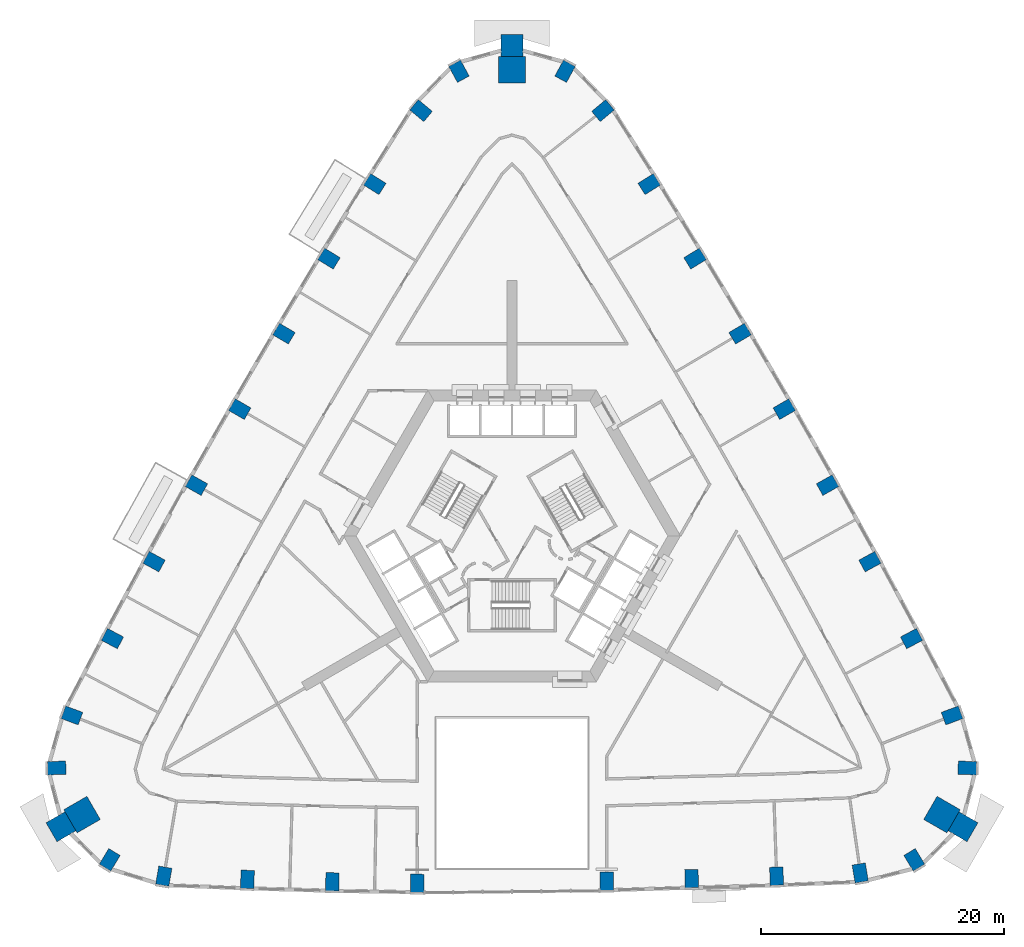
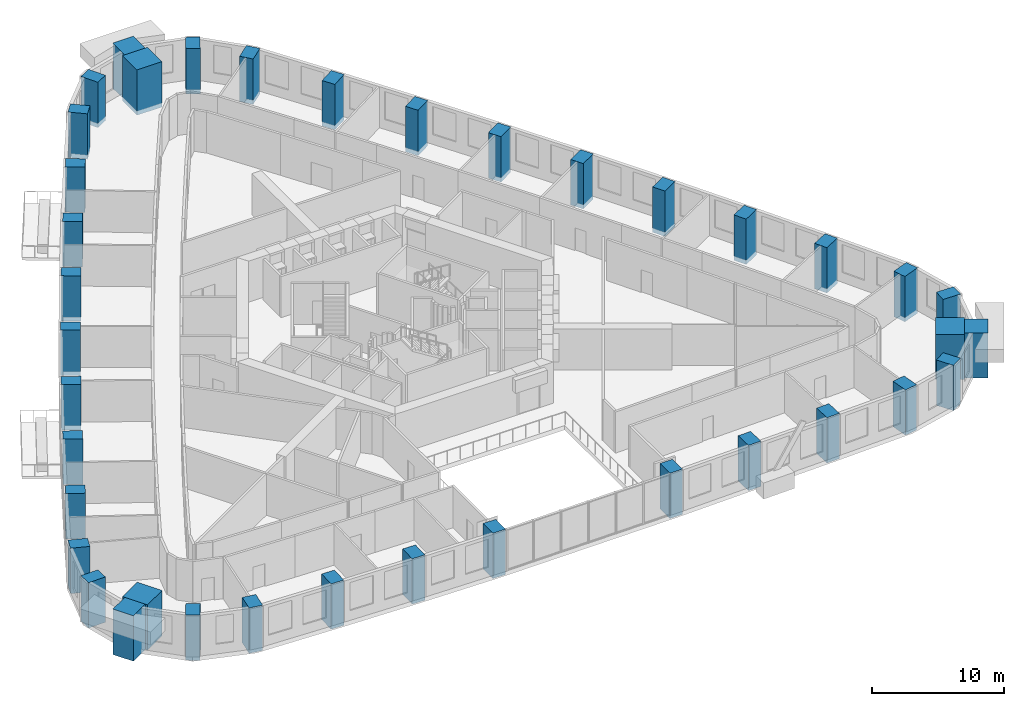
# One storey, part 1 of 15: 38 columns.
"""IFC4 building model written with IfcOpenShell, lengths in metres."""

from ifc_helpers import new_model, si_unit, direction, frame, origin, origin_2d, place, context, subcontext, project, spatial, rectangle, extrude, material, material_profile, profile_set, type_object, element, save


model = new_model("IFC4")

# Units and contexts
model_context = context("Model", 3, precision=1e-05, world=origin(), true_north=direction((0.0, 1.0)))
body_context = subcontext(model_context, "Body", "Model", "MODEL_VIEW")
ifc_project = project(units=[si_unit("LENGTHUNIT", "METRE"), si_unit("AREAUNIT", "SQUARE_METRE"), si_unit("VOLUMEUNIT", "CUBIC_METRE"), si_unit("PLANEANGLEUNIT", "RADIAN"), si_unit("MASSUNIT", "GRAM", prefix="KILO")], contexts=[model_context])

# Site, building, storey
site_placement = place(None, origin())
site = spatial("IfcSite", under=ifc_project, at=site_placement, CompositionType="ELEMENT")
building_placement = place(site_placement, origin())
building = spatial("IfcBuilding", under=site, at=building_placement, Name="Entoto Arch Interchange Tower", CompositionType="ELEMENT")
storey_placement = place(building_placement, frame((0.0, 0.0, 107.60009765625)))
storey = spatial("IfcBuildingStorey", under=building, at=storey_placement, Name="L23", CompositionType="ELEMENT", Elevation=107.60009765625)

# Columns
ifc_material_1 = material(Name="Concrete C60/75", Category="concrete")
ifc_material_profile_1 = material_profile(ifc_material_1, rectangle(XDim=1.10009765625, YDim=1.5, at=origin_2d()))
ifc_profile_set_1 = profile_set([ifc_material_profile_1], Name="Concrete C60/75")
column_type_1 = type_object("IfcColumnType", Name="Column RC 1100x1500 C60/75", PredefinedType="COLUMN", material=ifc_profile_set_1)
for number, where, z_axis, x_axis, name in (
    (1, (-28.633056640625, -25.47802734375, -0.400146484375), (0.0, 0.0, 1.0), (-0.985759288085, 0.168162498658, 0.0), "Column S01 L23"),
    (2, (-21.757080078125, -25.742919921875, -0.400146484375), (0.0, 0.0, 1.0), (-0.999373652571, 0.035387887008, 0.0), "Column S02 L23"),
    (3, (-14.77294921875, -25.943115234375, -0.400146484375), (0.0, 0.0, 1.0), (-0.999711216939, 0.024030870297, 0.0), "Column S03 L23"),
    (4, (-7.7919921875, -26.06591796875, -0.400146484375), (0.0, 0.0, 1.0), (-0.999958020206, 0.009162850353, 0.0), "Column S04 L23"),
    (5, (7.7919921875, -25.89404296875, -0.400146484375), (0.0, 0.0, 1.0), (0.999958020206, 0.009162850353, 0.0), "Column S05 L23"),
    (6, (14.77294921875, -25.678955078125, -0.400146484375), (0.0, 0.0, 1.0), (0.999711216939, 0.024030870297, 0.0), "Column S06 L23"),
    (7, (21.757080078125, -25.47900390625, -0.400146484375), (0.0, 0.0, 1.0), (0.999373652571, 0.035387887008, 0.0), "Column S07 L23"),
    (8, (28.633056640625, -25.214111328125, -0.400146484375), (0.0, 0.0, 1.0), (0.985759288085, 0.168162498658, 0.0), "Column S08 L23"),
    (9, (33.077880859375, -24.132080078125, -0.400146484375), (0.0, 0.0, 1.0), (0.854095929175, 0.520115510024, 0.0), "Column SE1 L23"),
    (10, (37.43798828125, -16.5810546875, -0.400146484375), (0.0, 0.0, 1.0), (0.023385279996, 0.999726526946, 0.0), "Column SE3 L23"),
    (11, (36.18798828125, -12.260986328125, -0.400146484375), (0.0, 0.0, 1.0), (-0.347312116358, 0.937749590152, 0.0), "Column NE01 L23"),
    (12, (32.85791015625, -5.943115234375, -0.400146484375), (0.0, 0.0, 1.0), (-0.469332863911, 0.883021326386, 0.0), "Column NE02 L23"),
    (13, (29.43798828125, 0.385009765625, -0.400146484375), (0.0, 0.0, 1.0), (-0.479611016922, 0.87748120917, 0.0), "Column NE03 L23"),
    (14, (25.947998046875, 6.675048828125, -0.400146484375), (0.0, 0.0, 1.0), (-0.489838999048, 0.87181291285, 0.0), "Column NE04 L23"),
    (15, (22.386962890625, 12.925048828125, -0.400146484375), (0.0, 0.0, 1.0), (-0.5, 0.866025403784, 0.0), "Column NE05 L23"),
    (16, (18.7548828125, 19.134033203125, -0.400146484375), (0.0, 0.0, 1.0), (-0.510092630351, 0.860119473365, 0.0), "Column NE06 L23"),
    (17, (15.052978515625, 25.302001953125, -0.400146484375), (0.0, 0.0, 1.0), (-0.520115510024, 0.854095929175, 0.0), "Column NE07 L23"),
    (18, (11.282958984375, 31.427978515625, -0.400146484375), (0.0, 0.0, 1.0), (-0.530067268476, 0.847955594881, 0.0), "Column NE08 L23"),
    (19, (7.47607421875, 37.469970703125, -0.400146484375), (0.0, 0.0, 1.0), (-0.638458909281, 0.769655910885, 0.0), "Column NE09 L23"),
    (20, (4.360107421875, 40.7119140625, -0.400146484375), (0.0, 0.0, 1.0), (-0.87748120917, 0.479611016922, 0.0), "Column N1 L23"),
    (21, (-4.360107421875, 40.7119140625, -0.400146484375), (0.0, 0.0, 1.0), (0.87748120917, 0.479611016922, 0.0), "Column N3 L23"),
    (22, (-7.47607421875, 37.469970703125, -0.400146484375), (0.0, 0.0, 1.0), (0.638458909281, 0.769655910885, 0.0), "Column NW01 L23"),
    (23, (-11.282958984375, 31.427978515625, -0.400146484375), (0.0, 0.0, 1.0), (0.530067268476, 0.847955594881, 0.0), "Column NW02 L23"),
    (24, (-15.052978515625, 25.302001953125, -0.400146484375), (0.0, 0.0, 1.0), (0.520115510024, 0.854095929175, 0.0), "Column NW03 L23"),
    (25, (-18.7548828125, 19.134033203125, -0.400146484375), (0.0, 0.0, 1.0), (0.510092630351, 0.860119473365, 0.0), "Column NW04 L23"),
    (26, (-22.386962890625, 12.925048828125, -0.400146484375), (0.0, 0.0, 1.0), (0.5, 0.866025403784, 0.0), "Column NW05 L23"),
    (27, (-25.947998046875, 6.675048828125, -0.400146484375), (0.0, 0.0, 1.0), (0.489838999048, 0.87181291285, 0.0), "Column NW06 L23"),
    (28, (-29.43798828125, 0.385009765625, -0.400146484375), (0.0, 0.0, 1.0), (0.479611016922, 0.87748120917, 0.0), "Column NW07 L23"),
    (29, (-32.85791015625, -5.943115234375, -0.400146484375), (0.0, 0.0, 1.0), (0.469332863911, 0.883021326386, 0.0), "Column NW08 L23"),
    (30, (-36.18798828125, -12.260986328125, -0.400146484375), (0.0, 0.0, 1.0), (0.347312116358, 0.937749590152, 0.0), "Column NW09 L23"),
    (31, (-37.43798828125, -16.5810546875, -0.400146484375), (0.0, 0.0, 1.0), (-0.023385279996, 0.999726526946, 0.0), "Column SW1 L23"),
    (32, (-33.077880859375, -24.132080078125, -0.400146484375), (0.0, 0.0, 1.0), (-0.854095929175, 0.520115510024, 0.0), "Column SW3 L23"),
):
    element("IfcColumn", number, at=place(storey_placement, frame(where, z_axis=z_axis, x_axis=x_axis)), inside=storey, type_object=column_type_1, Name=name, PredefinedType="COLUMN", context=body_context, shape_type="SweptSolid", body=[
        extrude(rectangle(XDim=1.10009765625, YDim=1.5, at=origin_2d()), origin(), (0.0, 0.0, 1.0), 4.199951171875),
    ])
ifc_material_2 = material(Name="Precast concrete C40/50", Category="concrete")
ifc_material_profile_2 = material_profile(ifc_material_2, rectangle(XDim=1.800048828125, YDim=1.800048828125, at=origin_2d()))
ifc_profile_set_2 = profile_set([ifc_material_profile_2], Name="Precast concrete C40/50")
column_type_2 = type_object("IfcColumnType", Name="Frame post RC 1800x1800 precast C40/50", PredefinedType="COLUMN", material=ifc_profile_set_2)
for number, where, z_axis, x_axis, name in (
    (33, (37.089111328125, -21.4140625, -0.400146484375), (0.0, 0.0, 1.0), (-0.866025403784, 0.5, 0.0), "Frame post SE L23"),
    (34, (0.0, 42.826904296875, -0.400146484375), (0.0, 0.0, 1.0), (0.0, 1.0, 0.0), "Frame post N L23"),
    (35, (-37.089111328125, -21.4140625, -0.400146484375), (0.0, 0.0, 1.0), (0.866025403784, 0.5, 0.0), "Frame post SW L23"),
):
    element("IfcColumn", number, at=place(storey_placement, frame(where, z_axis=z_axis, x_axis=x_axis)), inside=storey, type_object=column_type_2, Name=name, PredefinedType="COLUMN", context=body_context, shape_type="SweptSolid", body=[
        extrude(rectangle(XDim=1.800048828125, YDim=1.800048828125, at=origin_2d()), origin(), (0.0, 0.0, 1.0), 4.199951171875),
    ])
ifc_material_profile_3 = material_profile(ifc_material_1, rectangle(XDim=2.199951171875, YDim=2.199951171875, at=origin_2d()))
ifc_profile_set_3 = profile_set([ifc_material_profile_3], Name="Concrete C60/75")
column_type_3 = type_object("IfcColumnType", Name="Mega column RC 2200x2200 C60/75", PredefinedType="COLUMN", material=ifc_profile_set_3)
for number, where, z_axis, x_axis, name in (
    (36, (35.35693359375, -20.4140625, -0.400146484375), (0.0, 0.0, 1.0), (-0.866025403784, 0.5, 0.0), "Corner mega column SE2 L23"),
    (37, (0.0, 40.826904296875, -0.400146484375), (0.0, 0.0, 1.0), (0.0, 1.0, 0.0), "Corner mega column N2 L23"),
    (38, (-35.35693359375, -20.4140625, -0.400146484375), (0.0, 0.0, 1.0), (0.866025403784, 0.5, 0.0), "Corner mega column SW2 L23"),
):
    element("IfcColumn", number, at=place(storey_placement, frame(where, z_axis=z_axis, x_axis=x_axis)), inside=storey, type_object=column_type_3, Name=name, PredefinedType="COLUMN", context=body_context, shape_type="SweptSolid", body=[
        extrude(rectangle(XDim=2.199951171875, YDim=2.199951171875, at=origin_2d()), origin(), (0.0, 0.0, 1.0), 4.199951171875),
    ])

save(model, "model.ifc")
